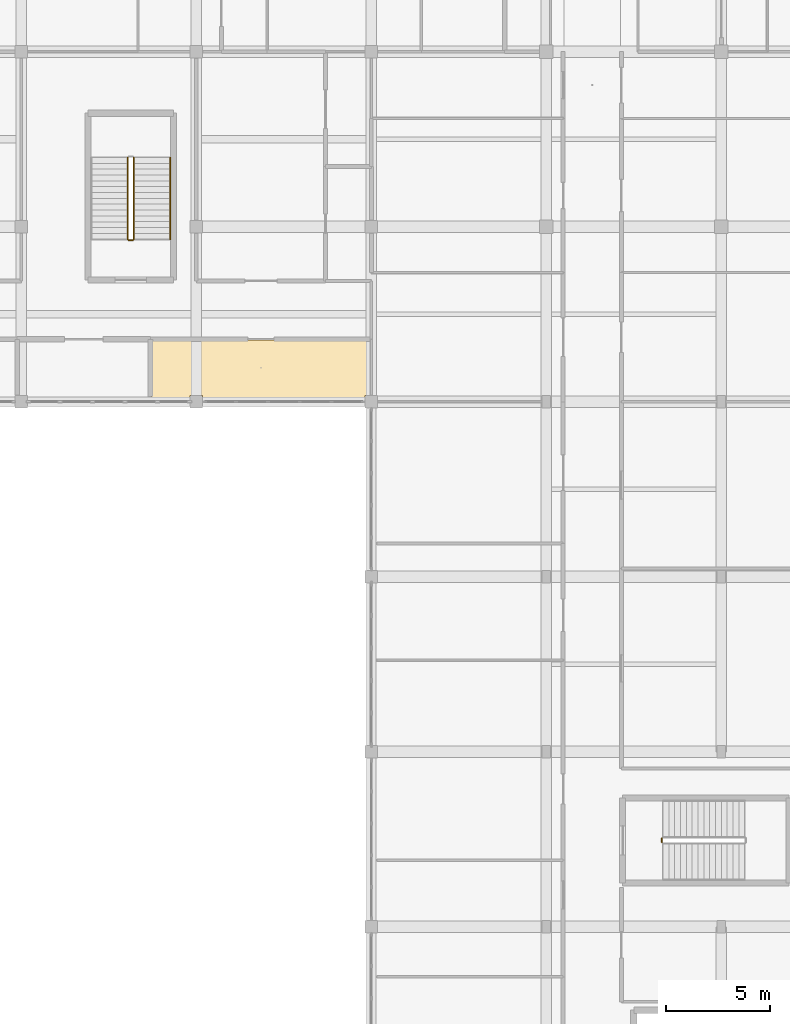
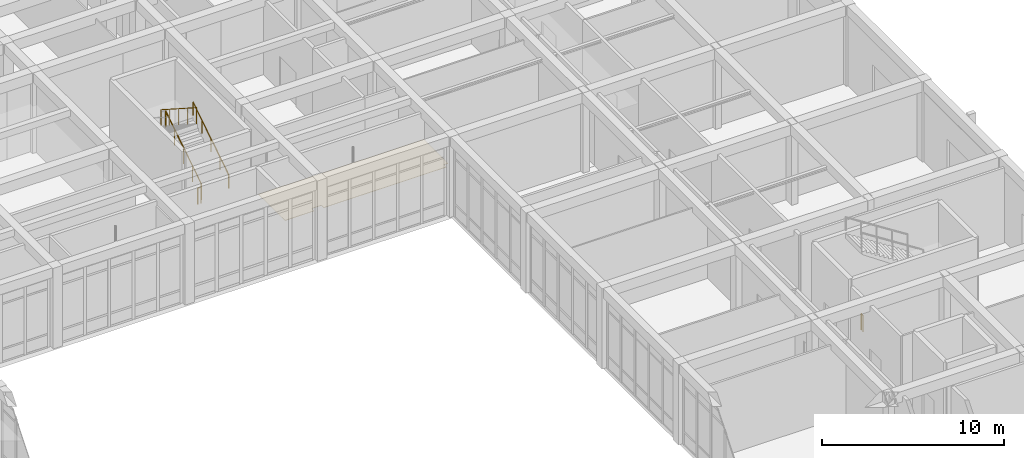
# One storey, part 153 of 157: 5 railings, 1 covering.
"""IFC4 building model written with IfcOpenShell, lengths in metres."""

import ifcopenshell
import ifcopenshell.guid

model = None  # the IFC model being written
_history = None  # IfcOwnerHistory: only IFC2X3 demands one
_inside = {}  # id of a spatial element -> (the spatial element, [elements in it])
_under = {}  # id of a project, library or spatial element -> (it, [spatial elements below it])
_declared = {}  # id of a project -> (the project, [libraries it declares])
_typed = {}  # id of a type object -> (the type object, [elements of that type])
_made_of = {}  # id of a material, layer set ... -> (it, [elements and type objects made of it])


def new_model(schema):
    """Start an empty IFC model of exactly this schema.

    Asked for "IFC4X3", IfcOpenShell would pick the latest addendum, in which some entities
    have other attributes; the version numbers below select the first issue.
    IFC2X3 requires an IfcOwnerHistory on every rooted entity: one is made here for all.
    """
    global model, _history
    if schema == "IFC4X3":
        model = ifcopenshell.file(schema_version=(4, 3, 0, 0))
    else:
        model = ifcopenshell.file(schema=schema)
    _inside.clear()
    _under.clear()
    _declared.clear()
    _typed.clear()
    _made_of.clear()
    _history = None
    if model.schema == "IFC2X3":
        org = make("IfcOrganization", Name="unknown")
        user = make(
            "IfcPersonAndOrganization",
            ThePerson=make("IfcPerson", FamilyName="unknown"),
            TheOrganization=org,
        )
        app = make(
            "IfcApplication",
            ApplicationDeveloper=org,
            Version="unknown",
            ApplicationFullName="unknown",
            ApplicationIdentifier="unknown",
        )
        _history = make(
            "IfcOwnerHistory",
            OwningUser=user,
            OwningApplication=app,
            ChangeAction="ADDED",
            CreationDate=0,
        )
    return model


def make(cls, **values):
    """One entity of the class cls with the attributes given. An attribute that is None is left unset."""
    return model.create_entity(
        cls, **{name: value for name, value in values.items() if value is not None}
    )


def rooted(cls, **values):
    """An entity with a GlobalId (a new one), such as an element, a storey or a relation."""
    return make(cls, GlobalId=ifcopenshell.guid.new(), OwnerHistory=_history, **values)


def si_unit(unit_type, name, prefix=None):
    """IfcSIUnit, for example si_unit("LENGTHUNIT", "METRE", prefix="MILLI")."""
    return make("IfcSIUnit", UnitType=unit_type, Prefix=prefix, Name=name)


def assignment(units):
    """IfcUnitAssignment: the units of a project."""
    return None if units is None else make("IfcUnitAssignment", Units=units)


def point(xyz):
    """IfcCartesianPoint."""
    return None if xyz is None else make("IfcCartesianPoint", Coordinates=xyz)


def direction(xyz):
    """IfcDirection."""
    return None if xyz is None else make("IfcDirection", DirectionRatios=xyz)


def frame(location, z_axis=None, x_axis=None):
    """IfcAxis2Placement3D, a coordinate frame: its origin and axes. An axis left out is left unset."""
    return make(
        "IfcAxis2Placement3D",
        Location=point(location),
        Axis=direction(z_axis),
        RefDirection=direction(x_axis),
    )


def frame_2d(location, x_axis=None):
    """IfcAxis2Placement2D, a coordinate frame in the plane: its origin and x axis."""
    return make(
        "IfcAxis2Placement2D", Location=point(location), RefDirection=direction(x_axis)
    )


def origin():
    """The frame at (0, 0, 0) with its axes left unset."""
    return frame((0.0, 0.0, 0.0))


def origin_2d():
    """The frame at (0, 0) in the plane with its x axis left unset."""
    return frame_2d((0.0, 0.0))


def place(relative_to, where):
    """IfcLocalPlacement: puts the frame where relative to a parent placement (None: the world)."""
    return make(
        "IfcLocalPlacement", PlacementRelTo=relative_to, RelativePlacement=where
    )


def context(
    kind, dimensions, precision=None, world=None, true_north=None, identifier=None
):
    """IfcGeometricRepresentationContext, for example the 3D "Model" context."""
    return make(
        "IfcGeometricRepresentationContext",
        ContextIdentifier=identifier,
        ContextType=kind,
        CoordinateSpaceDimension=dimensions,
        Precision=precision,
        WorldCoordinateSystem=world,
        TrueNorth=true_north,
    )


def subcontext(parent, identifier, kind, view, scale=None):
    """IfcGeometricRepresentationSubContext, for example "Body" below "Model"."""
    return make(
        "IfcGeometricRepresentationSubContext",
        ContextIdentifier=identifier,
        ContextType=kind,
        ParentContext=parent,
        TargetScale=scale,
        TargetView=view,
    )


def project(units=None, contexts=None):
    """IfcProject with its units and contexts."""
    return rooted(
        "IfcProject",
        Name="project",
        RepresentationContexts=contexts,
        UnitsInContext=assignment(units),
    )


def spatial(cls, under=None, at=None, **own):
    """A site, building, storey or space (cls), placed at a placement, below another one or the project."""
    s = rooted(cls, ObjectPlacement=at, **own)
    if under is not None:
        _under.setdefault(under.id(), (under, []))[1].append(s)
    return s


def polyline(points):
    """IfcPolyline through the points."""
    return make("IfcPolyline", Points=[point(p) for p in points])


def profile(cls, at=None, kind="AREA", **sizes):
    """A parametric profile (cls). Its sizes go by their IFC names, for example OverallWidth=200.0."""
    return make(cls, ProfileType=kind, Position=at, **sizes)


def circle(**sizes):
    """IfcCircleProfileDef."""
    return profile("IfcCircleProfileDef", **sizes)


def outline(outer, holes=None, kind="AREA"):
    """IfcArbitraryClosedProfileDef: a profile drawn as a closed curve; with holes, ...WithVoids."""
    if holes is None:
        return make("IfcArbitraryClosedProfileDef", ProfileType=kind, OuterCurve=outer)
    return make(
        "IfcArbitraryProfileDefWithVoids",
        ProfileType=kind,
        OuterCurve=outer,
        InnerCurves=holes,
    )


def extrude(swept, where, along, depth):
    """IfcExtrudedAreaSolid: the profile swept, set in the frame where, extruded along a direction by depth."""
    return make(
        "IfcExtrudedAreaSolid",
        SweptArea=swept,
        Position=where,
        ExtrudedDirection=direction(along),
        Depth=depth,
    )


def shape(context_of_items, identifier, shape_type, items):
    """IfcShapeRepresentation: the items that make up one representation, for example the "Body"."""
    return make(
        "IfcShapeRepresentation",
        ContextOfItems=context_of_items,
        RepresentationIdentifier=identifier,
        RepresentationType=shape_type,
        Items=items,
    )


def material(Name=None, Category=None):
    """IfcMaterial."""
    return make("IfcMaterial", Name=Name, Category=Category)


def layer(
    of_material, thickness, ventilated=None, Name=None, Category=None, Priority=None
):
    """IfcMaterialLayer: one layer of a wall or slab, of a material (None: an air gap)."""
    return make(
        "IfcMaterialLayer",
        Material=of_material,
        LayerThickness=thickness,
        IsVentilated=ventilated,
        Name=Name,
        Category=Category,
        Priority=Priority,
    )


def layer_set(layers, Name=None):
    """IfcMaterialLayerSet."""
    return make("IfcMaterialLayerSet", MaterialLayers=layers, LayerSetName=Name)


def made_of(thing, what):
    """Note that an element or type object is made of a material, layer set ...; save() writes the relation."""
    if what is not None:
        _made_of.setdefault(what.id(), (what, []))[1].append(thing)
    return thing


def type_object(cls, material=None, **own):
    """A type object (cls), such as IfcWallType, which elements share."""
    return made_of(rooted(cls, **own), material)


def element(
    cls,
    number,
    at=None,
    inside=None,
    cuts=None,
    type_object=None,
    material=None,
    context=None,
    identifier="Body",
    shape_type=None,
    held_by="IfcProductDefinitionShape",
    body=None,
    shapes=None,
    **own,
):
    """One element of the class cls, such as IfcWall. Its Tag is "e" and its number.

    at: its placement. inside: the storey or other place that contains it. cuts: it is an
    opening in that element (IfcRelVoidsElement). A single representation is given by context,
    identifier, shape_type and body (its items); several are given by shapes. held_by: the class
    of the entity that holds the representations. save() writes the other relations.
    """
    e = rooted(cls, Tag="e%d" % number, ObjectPlacement=at, **own)
    if body is not None:
        shapes = [shape(context, identifier, shape_type, body)]
    if shapes is not None:
        e.Representation = make(held_by, Representations=shapes)
    if inside is not None:
        _inside.setdefault(inside.id(), (inside, []))[1].append(e)
    if cuts is not None:
        rooted(
            "IfcRelVoidsElement", RelatingBuildingElement=cuts, RelatedOpeningElement=e
        )
    if type_object is not None:
        _typed.setdefault(type_object.id(), (type_object, []))[1].append(e)
    return made_of(e, material)


def aggregate(whole, parts):
    """IfcRelAggregates: a whole, such as a stair, and the parts it consists of."""
    return rooted("IfcRelAggregates", RelatingObject=whole, RelatedObjects=parts)


def save(model, path):
    """Write the relations noted so far, then the file.

    IfcRelAggregates (storeys below a building ...), IfcRelContainedInSpatialStructure (elements
    in a storey), IfcRelDefinesByType, IfcRelAssociatesMaterial and IfcRelDeclares: one each for
    every whole, place, type object, material and project.
    """
    for whole, parts in _under.values():
        aggregate(whole, parts)
    for where, things in _inside.values():
        rooted(
            "IfcRelContainedInSpatialStructure",
            RelatedElements=things,
            RelatingStructure=where,
        )
    for kind, things in _typed.values():
        rooted("IfcRelDefinesByType", RelatedObjects=things, RelatingType=kind)
    for what, things in _made_of.values():
        rooted("IfcRelAssociatesMaterial", RelatedObjects=things, RelatingMaterial=what)
    for by, libraries in _declared.values():
        rooted("IfcRelDeclares", RelatingContext=by, RelatedDefinitions=libraries)
    model.write(path)


model = new_model("IFC4")

# Units and contexts
model_context = context("Model", 3, precision=1e-05, world=origin(), true_north=direction((0.0, 1.0)))
body_context = subcontext(model_context, "Body", "Model", "MODEL_VIEW")
ifc_project = project(units=[si_unit("LENGTHUNIT", "METRE"), si_unit("AREAUNIT", "SQUARE_METRE"), si_unit("VOLUMEUNIT", "CUBIC_METRE"), si_unit("PLANEANGLEUNIT", "RADIAN"), si_unit("MASSUNIT", "GRAM", prefix="KILO")], contexts=[model_context])

# Site, building, storey
site_placement = place(None, origin())
site = spatial("IfcSite", under=ifc_project, at=site_placement, CompositionType="ELEMENT")
building_placement = place(site_placement, origin())
building = spatial("IfcBuilding", under=site, at=building_placement, Name="Varncliffe General Hospital", CompositionType="ELEMENT")
storey_placement = place(building_placement, frame((0.0, 0.0, 5.39990234375)))
storey = spatial("IfcBuildingStorey", under=building, at=storey_placement, Name="L01", CompositionType="ELEMENT", Elevation=5.39990234375)

# Covering
ifc_material_1 = material(Name="Hygienic antimicrobial acoustic suspended ceiling tile", Category="gypsum")
ifc_layer = layer(ifc_material_1, 0.02490234375)
ifc_layer_set = layer_set([ifc_layer], Name="Hygienic antimicrobial acoustic suspended ceiling tile")
covering_type = type_object("IfcCoveringType", Name="Antimicrobial Acoustic Suspended Ceiling CLG44", PredefinedType="CEILING", material=ifc_layer_set)
covering_placement = place(storey_placement, frame((0.0, 0.0, 3.175048828125)))
element("IfcCovering", 1, at=covering_placement, inside=storey, type_object=covering_type, Name="L01 Inpatient Hospital Pharmacy Cleanroom 92 Suspended Ceiling", PredefinedType="CEILING", context=body_context, shape_type="SweptSolid", body=[
    extrude(outline(polyline([(140.639892578125, 85.760009765625), (151.159912109375, 85.760009765625), (151.159912109375, 83.10009765625), (150.89990234375, 83.10009765625), (150.89990234375, 82.840087890625), (143.10009765625, 82.840087890625), (143.10009765625, 83.10009765625), (142.5, 83.10009765625), (142.5, 82.840087890625), (140.639892578125, 82.840087890625), (140.639892578125, 85.760009765625)])), origin(), (0.0, 0.0, 1.0), 0.025146484375),
])

# Railings
ifc_material_2 = material(Name="Powder-coated hospital steel guardrail and handrail", Category="steel")
railing_type_1 = type_object("IfcRailingType", Name="Stair and Ramp Handrail HR46", PredefinedType="HANDRAIL", material=ifc_material_2)
railing_1_placement = place(storey_placement, frame((141.550048828125, 90.60009765625, 0.364013671875)))
element("IfcRailing", 2, at=railing_1_placement, inside=storey, type_object=railing_type_1, Name="L01 ST14 stair handrail 1", PredefinedType="HANDRAIL", context=body_context, shape_type="SweptSolid", body=[
    extrude(circle(Radius=0.02392578125, at=origin_2d()), frame((0.0, 0.0, 0.8759765625), z_axis=(0.0, 0.841171666519, 0.540768182723), x_axis=(-1.0, 0.0, 0.0)), (0.0, 0.0, 1.0), 4.66015625),
    extrude(circle(Radius=0.02099609375, at=origin_2d()), origin(), (0.0, 0.0, 1.0), 0.851806640625),
    extrude(circle(Radius=0.02099609375, at=origin_2d()), frame((0.0, 0.97998046875, 0.6298828125)), (0.0, 0.0, 1.0), 0.851806640625),
    extrude(circle(Radius=0.02099609375, at=origin_2d()), frame((0.0, 1.9599609375, 1.260009765625)), (0.0, 0.0, 1.0), 0.851806640625),
    extrude(circle(Radius=0.02099609375, at=origin_2d()), frame((0.0, 2.93994140625, 1.89013671875)), (0.0, 0.0, 1.0), 0.851806640625),
    extrude(circle(Radius=0.02099609375, at=origin_2d()), frame((0.0, 3.919921875, 2.52001953125)), (0.0, 0.0, 1.0), 0.851806640625),
])
railing_type_2 = type_object("IfcRailingType", Name="Stairwell Guardrail SG49", PredefinedType="GUARDRAIL", material=ifc_material_2)
railing_2_placement = place(storey_placement, frame((165.14990234375, 61.64990234375, 0.0)))
element("IfcRailing", 3, at=railing_2_placement, inside=storey, type_object=railing_type_2, Name="L01 ST07 stair guard 4", PredefinedType="GUARDRAIL", context=body_context, shape_type="SweptSolid", body=[
    extrude(circle(Radius=0.02392578125, at=origin_2d()), frame((0.0, 0.0, 1.076171875), z_axis=(0.0, 1.0, 0.0), x_axis=(-1.0, 0.0, 0.0)), (0.0, 0.0, 1.0), 0.2001953125),
    extrude(circle(Radius=0.02099609375, at=origin_2d()), origin(), (0.0, 0.0, 1.0), 1.052001953125),
    extrude(circle(Radius=0.02099609375, at=origin_2d()), frame((0.0, 0.2001953125, 0.0)), (0.0, 0.0, 1.0), 1.052001953125),
])
railing_3_placement = place(storey_placement, frame((139.800048828125, 90.60009765625, 0.18017578125)))
element("IfcRailing", 4, at=railing_3_placement, inside=storey, type_object=railing_type_2, Name="L01 ST14 stair guard 1", PredefinedType="GUARDRAIL", context=body_context, shape_type="SweptSolid", body=[
    extrude(circle(Radius=0.02392578125, at=origin_2d()), frame((0.0, 0.0, 1.076171875), z_axis=(0.0, 0.841171666519, 0.540768182723), x_axis=(-1.0, 0.0, 0.0)), (0.0, 0.0, 1.0), 4.66015625),
    extrude(circle(Radius=0.02099609375, at=origin_2d()), origin(), (0.0, 0.0, 1.0), 1.052001953125),
    extrude(circle(Radius=0.02099609375, at=origin_2d()), frame((0.0, 0.97998046875, 0.6298828125)), (0.0, 0.0, 1.0), 1.052001953125),
    extrude(circle(Radius=0.02099609375, at=origin_2d()), frame((0.0, 1.9599609375, 1.260009765625)), (0.0, 0.0, 1.0), 1.052001953125),
    extrude(circle(Radius=0.02099609375, at=origin_2d()), frame((0.0, 2.93994140625, 1.89013671875)), (0.0, 0.0, 1.0), 1.052001953125),
    extrude(circle(Radius=0.02099609375, at=origin_2d()), frame((0.0, 3.919921875, 2.52001953125)), (0.0, 0.0, 1.0), 1.052001953125),
])
railing_4_placement = place(storey_placement, frame((139.5, 94.52001953125, 2.880126953125)))
element("IfcRailing", 5, at=railing_4_placement, inside=storey, type_object=railing_type_2, Name="L01 ST14 stair guard 3", PredefinedType="GUARDRAIL", context=body_context, shape_type="SweptSolid", body=[
    extrude(circle(Radius=0.02392578125, at=origin_2d()), frame((0.0, 0.0, 1.076171875), z_axis=(0.0, -0.841171666519, 0.540768182723), x_axis=(1.0, 0.0, 0.0)), (0.0, 0.0, 1.0), 4.66015625),
    extrude(circle(Radius=0.02099609375, at=origin_2d()), origin(), (0.0, 0.0, 1.0), 1.052001953125),
    extrude(circle(Radius=0.02099609375, at=origin_2d()), frame((0.0, -0.97998046875, 0.6298828125)), (0.0, 0.0, 1.0), 1.052001953125),
    extrude(circle(Radius=0.02099609375, at=origin_2d()), frame((0.0, -1.9599609375, 1.260009765625)), (0.0, 0.0, 1.0), 1.052001953125),
    extrude(circle(Radius=0.02099609375, at=origin_2d()), frame((0.0, -2.93994140625, 1.89013671875)), (0.0, 0.0, 1.0), 1.052001953125),
    extrude(circle(Radius=0.02099609375, at=origin_2d()), frame((0.0, -3.919921875, 2.52001953125)), (0.0, 0.0, 1.0), 1.052001953125),
])
railing_5_placement = place(storey_placement, frame((139.75, 90.550048828125, 0.0)))
element("IfcRailing", 6, at=railing_5_placement, inside=storey, type_object=railing_type_2, Name="L01 ST14 stair guard 4", PredefinedType="GUARDRAIL", context=body_context, shape_type="SweptSolid", body=[
    extrude(circle(Radius=0.02392578125, at=origin_2d()), frame((0.0, 0.0, 1.076171875), z_axis=(-1.0, 0.0, 0.0), x_axis=(0.0, -1.0, 0.0)), (0.0, 0.0, 1.0), 0.199951171875),
    extrude(circle(Radius=0.02099609375, at=origin_2d()), origin(), (0.0, 0.0, 1.0), 1.052001953125),
    extrude(circle(Radius=0.02099609375, at=origin_2d()), frame((-0.199951171875, 0.0, 0.0)), (0.0, 0.0, 1.0), 1.052001953125),
])

save(model, "model.ifc")
